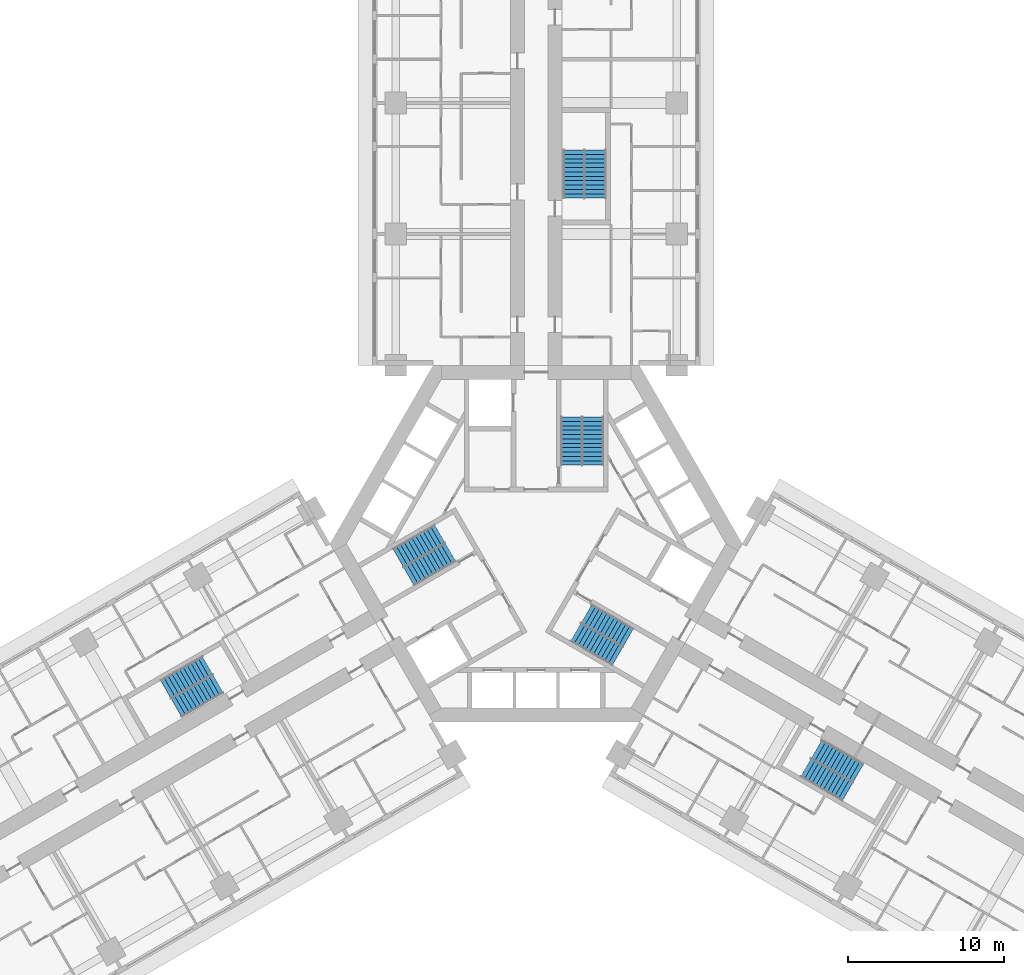
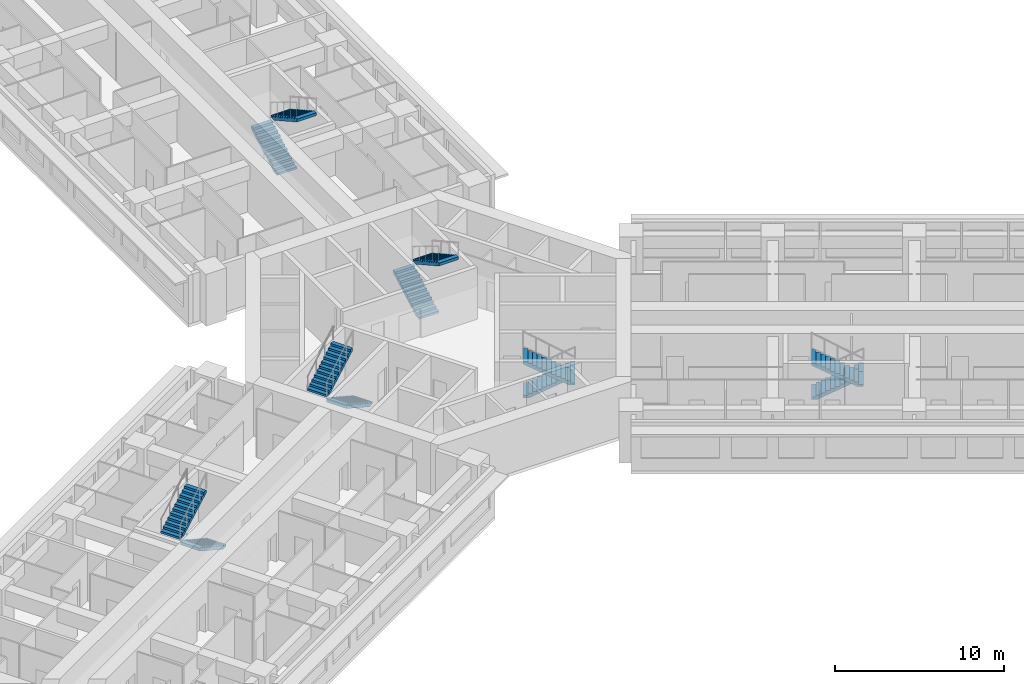
# One storey, part 14 of 15: 12 stair flights, 6 elements without a shape of their own.
"""IFC4 building model written with IfcOpenShell, lengths in metres."""

from ifc_helpers import new_model, si_unit, direction, frame, origin, place, context, subcontext, project, spatial, polyline, outline, extrude, material, type_object, element, aggregate, save


model = new_model("IFC4")

# Units and contexts
model_context = context("Model", 3, precision=1e-05, world=origin(), true_north=direction((0.0, 1.0)))
body_context = subcontext(model_context, "Body", "Model", "MODEL_VIEW")
ifc_project = project(units=[si_unit("LENGTHUNIT", "METRE"), si_unit("AREAUNIT", "SQUARE_METRE"), si_unit("VOLUMEUNIT", "CUBIC_METRE"), si_unit("PLANEANGLEUNIT", "RADIAN"), si_unit("MASSUNIT", "GRAM", prefix="KILO")], contexts=[model_context])

# Site, building, storey
site_placement = place(None, origin())
site = spatial("IfcSite", under=ifc_project, at=site_placement, CompositionType="ELEMENT")
building_placement = place(site_placement, origin())
building = spatial("IfcBuilding", under=site, at=building_placement, Name="Impinga Residences", CompositionType="ELEMENT")
storey_placement = place(building_placement, frame((0.0, 0.0, 82.25)))
storey = spatial("IfcBuildingStorey", under=building, at=storey_placement, Name="L20", CompositionType="ELEMENT", Elevation=82.25)

# Stair, stair flights
ifc_material = material(Name="Concrete C40/50", Category="concrete")
stair_type_1 = type_object("IfcStairType", Name="STR core stair 3750 storey, 24 risers", PredefinedType="HALF_TURN_STAIR", material=ifc_material)
stair_1_placement = place(storey_placement, origin())
stair_1 = element("IfcStair", 1, at=stair_1_placement, inside=storey, type_object=stair_type_1, Name="Stair ST1 L20", PredefinedType="HALF_TURN_STAIR")
stair_flight_type = type_object("IfcStairFlightType", Name="SF 12 risers of 156", PredefinedType="STRAIGHT", material=ifc_material)
stair_flight_1_placement = place(storey_placement, frame((2.27490234375, 5.030029296875, 0.0), z_axis=(0.0, 0.0, 1.0), x_axis=(0.0, 1.0, 0.0)))
stair_flight_1 = element("IfcStairFlight", 2, at=stair_flight_1_placement, type_object=stair_flight_type, Name="ST1 flight 1", NumberOfRisers=12, NumberOfTreads=11, PredefinedType="STRAIGHT", RiserHeight=0.15625, TreadLength=0.28, context=body_context, shape_type="SweptSolid", body=[
    extrude(outline(polyline([(0.0, 0.0), (0.0, 0.15625), (0.280029296875, 0.15625), (0.280029296875, 0.3125), (0.56005859375, 0.3125), (0.56005859375, 0.46875), (0.840087890625, 0.46875), (0.840087890625, 0.625), (1.1201171875, 0.625), (1.1201171875, 0.78125), (1.39990234375, 0.78125), (1.39990234375, 0.9375), (1.679931640625, 0.9375), (1.679931640625, 1.09375), (1.9599609375, 1.09375), (1.9599609375, 1.25), (2.239990234375, 1.25), (2.239990234375, 1.40625), (2.52001953125, 1.40625), (2.52001953125, 1.5625), (2.800048828125, 1.5625), (2.800048828125, 1.71875), (3.080078125, 1.71875), (3.080078125, 1.875), (3.080078125, 1.5126953125), (0.369140625, 0.0), (0.0, 0.0)])), frame((0.0, 0.675048828125, 0.0), z_axis=(0.0, -1.0, 0.0), x_axis=(1.0, 0.0, 0.0)), (0.0, 0.0, 1.0), 1.35009765625),
])
stair_flight_2_placement = place(storey_placement, frame((3.625, 8.110107421875, 1.875), z_axis=(0.0, 0.0, 1.0), x_axis=(0.0, -1.0, 0.0)))
stair_flight_2 = element("IfcStairFlight", 3, at=stair_flight_2_placement, type_object=stair_flight_type, Name="ST1 flight 2", NumberOfRisers=12, NumberOfTreads=11, PredefinedType="STRAIGHT", RiserHeight=0.15625, TreadLength=0.28, context=body_context, shape_type="SweptSolid", body=[
    extrude(outline(polyline([(0.0, 0.0), (0.0, 0.15625), (0.280029296875, 0.15625), (0.280029296875, 0.3125), (0.56005859375, 0.3125), (0.56005859375, 0.46875), (0.840087890625, 0.46875), (0.840087890625, 0.625), (1.1201171875, 0.625), (1.1201171875, 0.78125), (1.39990234375, 0.78125), (1.39990234375, 0.9375), (1.679931640625, 0.9375), (1.679931640625, 1.09375), (1.9599609375, 1.09375), (1.9599609375, 1.25), (2.239990234375, 1.25), (2.239990234375, 1.40625), (2.52001953125, 1.40625), (2.52001953125, 1.5625), (2.800048828125, 1.5625), (2.800048828125, 1.71875), (3.080078125, 1.71875), (3.080078125, 1.875), (3.080078125, 1.5126953125), (0.369140625, 0.0), (0.0, 0.0)])), frame((0.0, 0.675048828125, 0.0), z_axis=(0.0, -1.0, 0.0), x_axis=(1.0, 0.0, 0.0)), (0.0, 0.0, 1.0), 1.35009765625),
])
aggregate(stair_1, [stair_flight_1, stair_flight_2])

stair_2_placement = place(storey_placement, origin())
stair_2 = element("IfcStair", 4, at=stair_2_placement, inside=storey, type_object=stair_type_1, Name="Stair ST2 L20", PredefinedType="HALF_TURN_STAIR")
stair_flight_3_placement = place(storey_placement, frame((-5.49365234375, -0.544677734375, 0.0), z_axis=(0.0, 0.0, 1.0), x_axis=(-0.866025403784, -0.5, 0.0)))
stair_flight_3 = element("IfcStairFlight", 5, at=stair_flight_3_placement, type_object=stair_flight_type, Name="ST2 flight 1", NumberOfRisers=12, NumberOfTreads=11, PredefinedType="STRAIGHT", RiserHeight=0.15625, TreadLength=0.28, context=body_context, shape_type="SweptSolid", body=[
    extrude(outline(polyline([(0.0, 0.0), (0.0, 0.15625), (0.280029296875, 0.15625), (0.280029296875, 0.3125), (0.56005859375, 0.3125), (0.56005859375, 0.46875), (0.840087890625, 0.46875), (0.840087890625, 0.625), (1.1201171875, 0.625), (1.1201171875, 0.78125), (1.39990234375, 0.78125), (1.39990234375, 0.9375), (1.679931640625, 0.9375), (1.679931640625, 1.09375), (1.9599609375, 1.09375), (1.9599609375, 1.25), (2.239990234375, 1.25), (2.239990234375, 1.40625), (2.52001953125, 1.40625), (2.52001953125, 1.5625), (2.800048828125, 1.5625), (2.800048828125, 1.71875), (3.080078125, 1.71875), (3.080078125, 1.875), (3.080078125, 1.5126953125), (0.369140625, 0.0), (0.0, 0.0)])), frame((0.0, 0.675048828125, 0.0), z_axis=(0.0, -1.0, 0.0), x_axis=(1.0, 0.0, 0.0)), (0.0, 0.0, 1.0), 1.35009765625),
])
stair_flight_4_placement = place(storey_placement, frame((-8.8359375, -0.915771484375, 1.875), z_axis=(0.0, 0.0, 1.0), x_axis=(0.866025403784, 0.5, 0.0)))
stair_flight_4 = element("IfcStairFlight", 6, at=stair_flight_4_placement, type_object=stair_flight_type, Name="ST2 flight 2", NumberOfRisers=12, NumberOfTreads=11, PredefinedType="STRAIGHT", RiserHeight=0.15625, TreadLength=0.28, context=body_context, shape_type="SweptSolid", body=[
    extrude(outline(polyline([(0.0, 0.0), (0.0, 0.15625), (0.280029296875, 0.15625), (0.280029296875, 0.3125), (0.56005859375, 0.3125), (0.56005859375, 0.46875), (0.840087890625, 0.46875), (0.840087890625, 0.625), (1.1201171875, 0.625), (1.1201171875, 0.78125), (1.39990234375, 0.78125), (1.39990234375, 0.9375), (1.679931640625, 0.9375), (1.679931640625, 1.09375), (1.9599609375, 1.09375), (1.9599609375, 1.25), (2.239990234375, 1.25), (2.239990234375, 1.40625), (2.52001953125, 1.40625), (2.52001953125, 1.5625), (2.800048828125, 1.5625), (2.800048828125, 1.71875), (3.080078125, 1.71875), (3.080078125, 1.875), (3.080078125, 1.5126953125), (0.369140625, 0.0), (0.0, 0.0)])), frame((0.0, 0.675048828125, 0.0), z_axis=(0.0, -1.0, 0.0), x_axis=(1.0, 0.0, 0.0)), (0.0, 0.0, 1.0), 1.35009765625),
])
aggregate(stair_2, [stair_flight_3, stair_flight_4])

stair_3_placement = place(storey_placement, origin())
stair_3 = element("IfcStair", 7, at=stair_3_placement, inside=storey, type_object=stair_type_1, Name="Stair ST3 L20", PredefinedType="HALF_TURN_STAIR")
stair_flight_5_placement = place(storey_placement, frame((3.218505859375, -4.485107421875, 0.0), z_axis=(0.0, 0.0, 1.0), x_axis=(0.866025403784, -0.5, 0.0)))
stair_flight_5 = element("IfcStairFlight", 8, at=stair_flight_5_placement, type_object=stair_flight_type, Name="ST3 flight 1", NumberOfRisers=12, NumberOfTreads=11, PredefinedType="STRAIGHT", RiserHeight=0.15625, TreadLength=0.28, context=body_context, shape_type="SweptSolid", body=[
    extrude(outline(polyline([(0.0, 0.0), (0.0, 0.15625), (0.280029296875, 0.15625), (0.280029296875, 0.3125), (0.56005859375, 0.3125), (0.56005859375, 0.46875), (0.840087890625, 0.46875), (0.840087890625, 0.625), (1.1201171875, 0.625), (1.1201171875, 0.78125), (1.39990234375, 0.78125), (1.39990234375, 0.9375), (1.679931640625, 0.9375), (1.679931640625, 1.09375), (1.9599609375, 1.09375), (1.9599609375, 1.25), (2.239990234375, 1.25), (2.239990234375, 1.40625), (2.52001953125, 1.40625), (2.52001953125, 1.5625), (2.800048828125, 1.5625), (2.800048828125, 1.71875), (3.080078125, 1.71875), (3.080078125, 1.875), (3.080078125, 1.5126953125), (0.369140625, 0.0), (0.0, 0.0)])), frame((0.0, 0.675048828125, 0.0), z_axis=(0.0, -1.0, 0.0), x_axis=(1.0, 0.0, 0.0)), (0.0, 0.0, 1.0), 1.35009765625),
])
stair_flight_6_placement = place(storey_placement, frame((5.2109375, -7.1943359375, 1.875), z_axis=(0.0, 0.0, 1.0), x_axis=(-0.866025403784, 0.5, 0.0)))
stair_flight_6 = element("IfcStairFlight", 9, at=stair_flight_6_placement, type_object=stair_flight_type, Name="ST3 flight 2", NumberOfRisers=12, NumberOfTreads=11, PredefinedType="STRAIGHT", RiserHeight=0.15625, TreadLength=0.28, context=body_context, shape_type="SweptSolid", body=[
    extrude(outline(polyline([(0.0, 0.0), (0.0, 0.15625), (0.280029296875, 0.15625), (0.280029296875, 0.3125), (0.56005859375, 0.3125), (0.56005859375, 0.46875), (0.840087890625, 0.46875), (0.840087890625, 0.625), (1.1201171875, 0.625), (1.1201171875, 0.78125), (1.39990234375, 0.78125), (1.39990234375, 0.9375), (1.679931640625, 0.9375), (1.679931640625, 1.09375), (1.9599609375, 1.09375), (1.9599609375, 1.25), (2.239990234375, 1.25), (2.239990234375, 1.40625), (2.52001953125, 1.40625), (2.52001953125, 1.5625), (2.800048828125, 1.5625), (2.800048828125, 1.71875), (3.080078125, 1.71875), (3.080078125, 1.875), (3.080078125, 1.5126953125), (0.369140625, 0.0), (0.0, 0.0)])), frame((0.0, 0.675048828125, 0.0), z_axis=(0.0, -1.0, 0.0), x_axis=(1.0, 0.0, 0.0)), (0.0, 0.0, 1.0), 1.35009765625),
])
aggregate(stair_3, [stair_flight_5, stair_flight_6])

stair_type_2 = type_object("IfcStairType", Name="STR wing stair 3750 storey, 24 risers", PredefinedType="HALF_TURN_STAIR", material=ifc_material)
stair_4_placement = place(storey_placement, origin())
stair_4 = element("IfcStair", 10, at=stair_4_placement, inside=storey, type_object=stair_type_2, Name="Stair WS1 L20", PredefinedType="HALF_TURN_STAIR")
stair_flight_7_placement = place(storey_placement, frame((2.425048828125, 22.131591796875, 0.0), z_axis=(0.0, 0.0, 1.0), x_axis=(0.0, 1.0, 0.0)))
stair_flight_7 = element("IfcStairFlight", 11, at=stair_flight_7_placement, type_object=stair_flight_type, Name="WS1 flight 1", NumberOfRisers=12, NumberOfTreads=11, PredefinedType="STRAIGHT", RiserHeight=0.15625, TreadLength=0.28, context=body_context, shape_type="SweptSolid", body=[
    extrude(outline(polyline([(0.0, 0.0), (0.0, 0.15625), (0.280029296875, 0.15625), (0.280029296875, 0.3125), (0.56005859375, 0.3125), (0.56005859375, 0.46875), (0.840087890625, 0.46875), (0.840087890625, 0.625), (1.1201171875, 0.625), (1.1201171875, 0.78125), (1.39990234375, 0.78125), (1.39990234375, 0.9375), (1.679931640625, 0.9375), (1.679931640625, 1.09375), (1.9599609375, 1.09375), (1.9599609375, 1.25), (2.239990234375, 1.25), (2.239990234375, 1.40625), (2.52001953125, 1.40625), (2.52001953125, 1.5625), (2.800048828125, 1.5625), (2.800048828125, 1.71875), (3.080078125, 1.71875), (3.080078125, 1.875), (3.080078125, 1.5126953125), (0.369140625, 0.0), (0.0, 0.0)])), frame((0.0, 0.675048828125, 0.0), z_axis=(0.0, -1.0, 0.0), x_axis=(1.0, 0.0, 0.0)), (0.0, 0.0, 1.0), 1.35009765625),
])
stair_flight_8_placement = place(storey_placement, frame((3.77490234375, 25.21142578125, 1.875), z_axis=(0.0, 0.0, 1.0), x_axis=(0.0, -1.0, 0.0)))
stair_flight_8 = element("IfcStairFlight", 12, at=stair_flight_8_placement, type_object=stair_flight_type, Name="WS1 flight 2", NumberOfRisers=12, NumberOfTreads=11, PredefinedType="STRAIGHT", RiserHeight=0.15625, TreadLength=0.28, context=body_context, shape_type="SweptSolid", body=[
    extrude(outline(polyline([(0.0, 0.0), (0.0, 0.15625), (0.280029296875, 0.15625), (0.280029296875, 0.3125), (0.56005859375, 0.3125), (0.56005859375, 0.46875), (0.840087890625, 0.46875), (0.840087890625, 0.625), (1.1201171875, 0.625), (1.1201171875, 0.78125), (1.39990234375, 0.78125), (1.39990234375, 0.9375), (1.679931640625, 0.9375), (1.679931640625, 1.09375), (1.9599609375, 1.09375), (1.9599609375, 1.25), (2.239990234375, 1.25), (2.239990234375, 1.40625), (2.52001953125, 1.40625), (2.52001953125, 1.5625), (2.800048828125, 1.5625), (2.800048828125, 1.71875), (3.080078125, 1.71875), (3.080078125, 1.875), (3.080078125, 1.5126953125), (0.369140625, 0.0), (0.0, 0.0)])), frame((0.0, 0.675048828125, 0.0), z_axis=(0.0, -1.0, 0.0), x_axis=(1.0, 0.0, 0.0)), (0.0, 0.0, 1.0), 1.35009765625),
])
aggregate(stair_4, [stair_flight_7, stair_flight_8])

stair_5_placement = place(storey_placement, origin())
stair_5 = element("IfcStair", 13, at=stair_5_placement, inside=storey, type_object=stair_type_2, Name="Stair WS2 L20", PredefinedType="HALF_TURN_STAIR")
stair_flight_9_placement = place(storey_placement, frame((-20.37890625, -8.965576171875, 0.0), z_axis=(0.0, 0.0, 1.0), x_axis=(-0.866025403784, -0.5, 0.0)))
stair_flight_9 = element("IfcStairFlight", 14, at=stair_flight_9_placement, type_object=stair_flight_type, Name="WS2 flight 1", NumberOfRisers=12, NumberOfTreads=11, PredefinedType="STRAIGHT", RiserHeight=0.15625, TreadLength=0.28, context=body_context, shape_type="SweptSolid", body=[
    extrude(outline(polyline([(0.0, 0.0), (0.0, 0.15625), (0.280029296875, 0.15625), (0.280029296875, 0.3125), (0.56005859375, 0.3125), (0.56005859375, 0.46875), (0.840087890625, 0.46875), (0.840087890625, 0.625), (1.1201171875, 0.625), (1.1201171875, 0.78125), (1.39990234375, 0.78125), (1.39990234375, 0.9375), (1.679931640625, 0.9375), (1.679931640625, 1.09375), (1.9599609375, 1.09375), (1.9599609375, 1.25), (2.239990234375, 1.25), (2.239990234375, 1.40625), (2.52001953125, 1.40625), (2.52001953125, 1.5625), (2.800048828125, 1.5625), (2.800048828125, 1.71875), (3.080078125, 1.71875), (3.080078125, 1.875), (3.080078125, 1.5126953125), (0.369140625, 0.0), (0.0, 0.0)])), frame((0.0, 0.675048828125, 0.0), z_axis=(0.0, -1.0, 0.0), x_axis=(1.0, 0.0, 0.0)), (0.0, 0.0, 1.0), 1.35009765625),
])
stair_flight_10_placement = place(storey_placement, frame((-23.721435546875, -9.33642578125, 1.875), z_axis=(0.0, 0.0, 1.0), x_axis=(0.866025403784, 0.5, 0.0)))
stair_flight_10 = element("IfcStairFlight", 15, at=stair_flight_10_placement, type_object=stair_flight_type, Name="WS2 flight 2", NumberOfRisers=12, NumberOfTreads=11, PredefinedType="STRAIGHT", RiserHeight=0.15625, TreadLength=0.28, context=body_context, shape_type="SweptSolid", body=[
    extrude(outline(polyline([(0.0, 0.0), (0.0, 0.15625), (0.280029296875, 0.15625), (0.280029296875, 0.3125), (0.56005859375, 0.3125), (0.56005859375, 0.46875), (0.840087890625, 0.46875), (0.840087890625, 0.625), (1.1201171875, 0.625), (1.1201171875, 0.78125), (1.39990234375, 0.78125), (1.39990234375, 0.9375), (1.679931640625, 0.9375), (1.679931640625, 1.09375), (1.9599609375, 1.09375), (1.9599609375, 1.25), (2.239990234375, 1.25), (2.239990234375, 1.40625), (2.52001953125, 1.40625), (2.52001953125, 1.5625), (2.800048828125, 1.5625), (2.800048828125, 1.71875), (3.080078125, 1.71875), (3.080078125, 1.875), (3.080078125, 1.5126953125), (0.369140625, 0.0), (0.0, 0.0)])), frame((0.0, 0.675048828125, 0.0), z_axis=(0.0, -1.0, 0.0), x_axis=(1.0, 0.0, 0.0)), (0.0, 0.0, 1.0), 1.35009765625),
])
aggregate(stair_5, [stair_flight_9, stair_flight_10])

stair_6_placement = place(storey_placement, origin())
stair_6 = element("IfcStair", 16, at=stair_6_placement, inside=storey, type_object=stair_type_2, Name="Stair WS3 L20", PredefinedType="HALF_TURN_STAIR")
stair_flight_11_placement = place(storey_placement, frame((17.953857421875, -13.165771484375, 0.0), z_axis=(0.0, 0.0, 1.0), x_axis=(0.866025403784, -0.5, 0.0)))
stair_flight_11 = element("IfcStairFlight", 17, at=stair_flight_11_placement, type_object=stair_flight_type, Name="WS3 flight 1", NumberOfRisers=12, NumberOfTreads=11, PredefinedType="STRAIGHT", RiserHeight=0.15625, TreadLength=0.28, context=body_context, shape_type="SweptSolid", body=[
    extrude(outline(polyline([(0.0, 0.0), (0.0, 0.15625), (0.280029296875, 0.15625), (0.280029296875, 0.3125), (0.56005859375, 0.3125), (0.56005859375, 0.46875), (0.840087890625, 0.46875), (0.840087890625, 0.625), (1.1201171875, 0.625), (1.1201171875, 0.78125), (1.39990234375, 0.78125), (1.39990234375, 0.9375), (1.679931640625, 0.9375), (1.679931640625, 1.09375), (1.9599609375, 1.09375), (1.9599609375, 1.25), (2.239990234375, 1.25), (2.239990234375, 1.40625), (2.52001953125, 1.40625), (2.52001953125, 1.5625), (2.800048828125, 1.5625), (2.800048828125, 1.71875), (3.080078125, 1.71875), (3.080078125, 1.875), (3.080078125, 1.5126953125), (0.369140625, 0.0), (0.0, 0.0)])), frame((0.0, 0.675048828125, 0.0), z_axis=(0.0, -1.0, 0.0), x_axis=(1.0, 0.0, 0.0)), (0.0, 0.0, 1.0), 1.35009765625),
])
stair_flight_12_placement = place(storey_placement, frame((19.9462890625, -15.875, 1.875), z_axis=(0.0, 0.0, 1.0), x_axis=(-0.866025403784, 0.5, 0.0)))
stair_flight_12 = element("IfcStairFlight", 18, at=stair_flight_12_placement, type_object=stair_flight_type, Name="WS3 flight 2", NumberOfRisers=12, NumberOfTreads=11, PredefinedType="STRAIGHT", RiserHeight=0.15625, TreadLength=0.28, context=body_context, shape_type="SweptSolid", body=[
    extrude(outline(polyline([(0.0, 0.0), (0.0, 0.15625), (0.280029296875, 0.15625), (0.280029296875, 0.3125), (0.56005859375, 0.3125), (0.56005859375, 0.46875), (0.840087890625, 0.46875), (0.840087890625, 0.625), (1.1201171875, 0.625), (1.1201171875, 0.78125), (1.39990234375, 0.78125), (1.39990234375, 0.9375), (1.679931640625, 0.9375), (1.679931640625, 1.09375), (1.9599609375, 1.09375), (1.9599609375, 1.25), (2.239990234375, 1.25), (2.239990234375, 1.40625), (2.52001953125, 1.40625), (2.52001953125, 1.5625), (2.800048828125, 1.5625), (2.800048828125, 1.71875), (3.080078125, 1.71875), (3.080078125, 1.875), (3.080078125, 1.5126953125), (0.369140625, 0.0), (0.0, 0.0)])), frame((0.0, 0.675048828125, 0.0), z_axis=(0.0, -1.0, 0.0), x_axis=(1.0, 0.0, 0.0)), (0.0, 0.0, 1.0), 1.35009765625),
])
aggregate(stair_6, [stair_flight_11, stair_flight_12])

save(model, "model.ifc")
